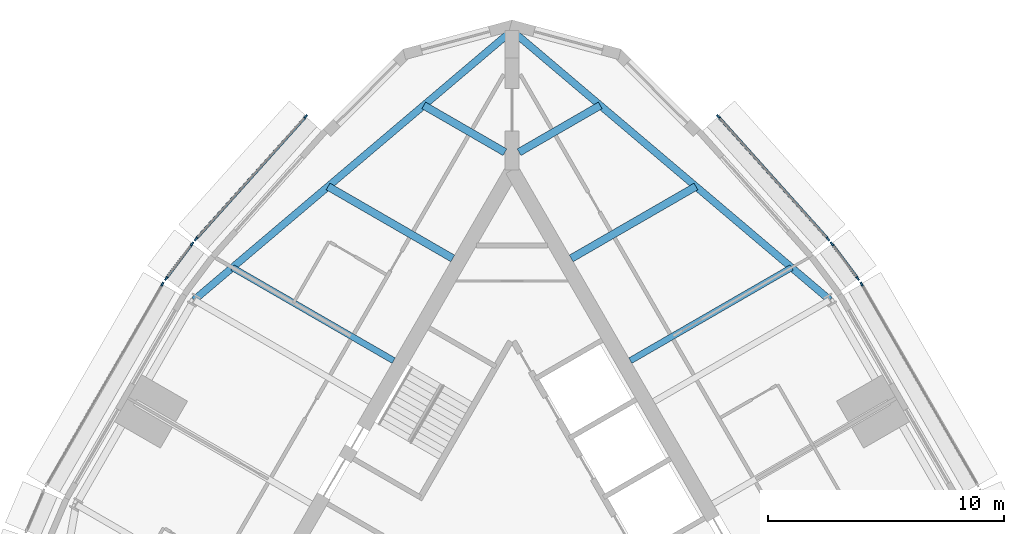
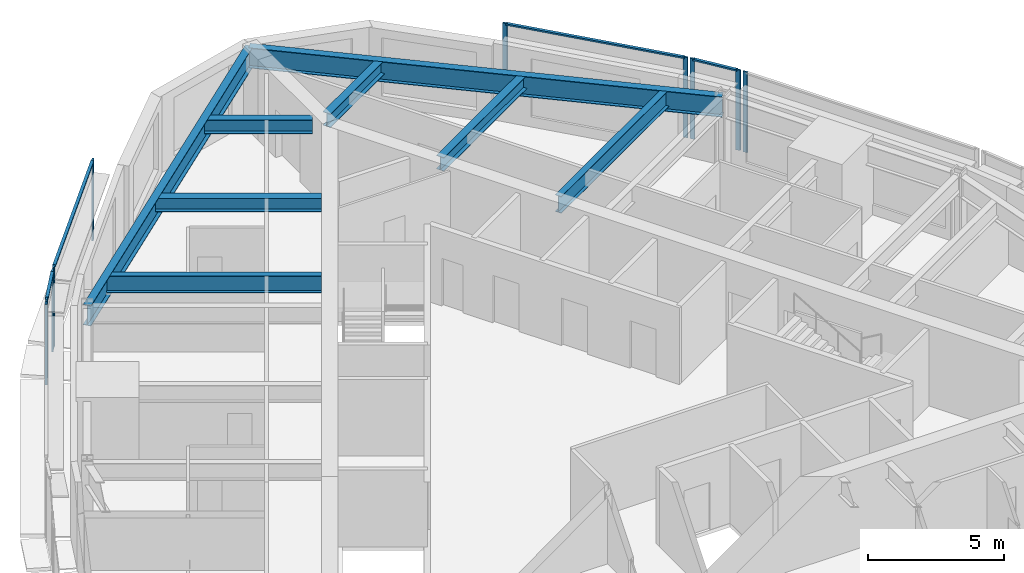
# One storey, part 5 of 12: 14 members, 8 beams, 6 elements without a shape of their own.
"""IFC4 building model written with IfcOpenShell, lengths in metres."""

from ifc_helpers import new_model, si_unit, direction, frame, origin, origin_2d, place, context, subcontext, project, spatial, rectangle, i_section, extrude, material, material_profile, profile_set, type_object, element, aggregate, save


model = new_model("IFC4")

# Units and contexts
model_context = context("Model", 3, precision=1e-05, world=origin(), true_north=direction((0.0, 1.0)))
body_context = subcontext(model_context, "Body", "Model", "MODEL_VIEW")
ifc_project = project(units=[si_unit("LENGTHUNIT", "METRE"), si_unit("AREAUNIT", "SQUARE_METRE"), si_unit("VOLUMEUNIT", "CUBIC_METRE"), si_unit("PLANEANGLEUNIT", "RADIAN"), si_unit("MASSUNIT", "GRAM", prefix="KILO")], contexts=[model_context])

# Site, building, storey
site_placement = place(None, origin())
site = spatial("IfcSite", under=ifc_project, at=site_placement, CompositionType="ELEMENT")
building_placement = place(site_placement, origin())
building = spatial("IfcBuilding", under=site, at=building_placement, Name="Trikona Tower", CompositionType="ELEMENT")
storey_placement = place(building_placement, frame((0.0, 0.0, 253.699951171875)))
storey = spatial("IfcBuildingStorey", under=building, at=storey_placement, Name="L67", CompositionType="ELEMENT", Elevation=253.699951171875)

# Curtain wall, member
ifc_material_1 = material(Name="Aluminium curtain wall system", Category="aluminium")
curtain_wall_type = type_object("IfcCurtainWallType", Name="Curtain wall DS3", PredefinedType="NOTDEFINED", material=ifc_material_1)
curtain_wall_1_placement = place(storey_placement, origin())
curtain_wall_1 = element("IfcCurtainWall", 1, at=curtain_wall_1_placement, inside=storey, type_object=curtain_wall_type, Name="Curtain wall DS3 L67", PredefinedType="NOTDEFINED")
ifc_material_2 = material(Name="Aluminium mullion, pale anodised", Category="aluminium")
ifc_material_profile_1 = material_profile(ifc_material_2, rectangle(XDim=0.070068359375, YDim=0.179931640625, at=origin_2d()), Name="MUL-DS3")
ifc_profile_set_1 = profile_set([ifc_material_profile_1], Name="Aluminium mullion, pale anodised")
member_type_1 = type_object("IfcMemberType", Name="Mullion DS3 70x180", PredefinedType="MULLION", material=ifc_profile_set_1)
member_1_placement = place(storey_placement, frame((14.807861328125, 14.213134765625, 0.0), z_axis=(0.0, 0.0, 1.0), x_axis=(-0.866024619633, -0.500001358187, 0.0)))
member_1 = element("IfcMember", 2, at=member_1_placement, type_object=member_type_1, Name="CW-DS3 mullion 2", PredefinedType="MULLION", context=body_context, shape_type="SweptSolid", body=[
    extrude(rectangle(XDim=0.070068359375, YDim=0.179931640625, at=origin_2d()), origin(), (0.0, 0.0, 1.0), 3.60009765625),
])
aggregate(curtain_wall_1, [member_1])

# Curtain wall, members
curtain_wall_2_placement = place(storey_placement, origin())
curtain_wall_2 = element("IfcCurtainWall", 3, at=curtain_wall_2_placement, inside=storey, type_object=curtain_wall_type, Name="Curtain wall DS3 L67", PredefinedType="NOTDEFINED")
member_2_placement = place(storey_placement, frame((14.644287109375, 14.461181640625, 0.0), z_axis=(0.0, 0.0, 1.0), x_axis=(-0.800259657055, -0.599653634435, 0.0)))
member_2 = element("IfcMember", 4, at=member_2_placement, type_object=member_type_1, Name="CW-DS3 mullion 1", PredefinedType="MULLION", context=body_context, shape_type="SweptSolid", body=[
    extrude(rectangle(XDim=0.070068359375, YDim=0.179931640625, at=origin_2d()), origin(), (0.0, 0.0, 1.0), 3.60009765625),
])
member_3_placement = place(storey_placement, frame((13.55029296875, 15.9208984375, 0.0), z_axis=(0.0, 0.0, 1.0), x_axis=(-0.800259657055, -0.599653634435, 0.0)))
member_3 = element("IfcMember", 5, at=member_3_placement, type_object=member_type_1, Name="CW-DS3 mullion 2", PredefinedType="MULLION", context=body_context, shape_type="SweptSolid", body=[
    extrude(rectangle(XDim=0.070068359375, YDim=0.179931640625, at=origin_2d()), origin(), (0.0, 0.0, 1.0), 3.60009765625),
])

curtain_wall_3_placement = place(storey_placement, origin())
curtain_wall_3 = element("IfcCurtainWall", 6, at=curtain_wall_3_placement, inside=storey, type_object=curtain_wall_type, Name="Curtain wall DS3 L67", PredefinedType="NOTDEFINED")
member_4_placement = place(storey_placement, frame((13.380126953125, 16.128662109375, 0.0), z_axis=(0.0, 0.0, 1.0), x_axis=(-0.744771436797, -0.667319643748, 0.0)))
member_4 = element("IfcMember", 7, at=member_4_placement, type_object=member_type_1, Name="CW-DS3 mullion 1", PredefinedType="MULLION", context=body_context, shape_type="SweptSolid", body=[
    extrude(rectangle(XDim=0.070068359375, YDim=0.179931640625, at=origin_2d()), origin(), (0.0, 0.0, 1.0), 3.60009765625),
])
member_5_placement = place(storey_placement, frame((8.733642578125, 21.314453125, 0.0), z_axis=(0.0, 0.0, 1.0), x_axis=(-0.744771436797, -0.667319643748, 0.0)))
member_5 = element("IfcMember", 8, at=member_5_placement, type_object=member_type_1, Name="CW-DS3 mullion 2", PredefinedType="MULLION", context=body_context, shape_type="SweptSolid", body=[
    extrude(rectangle(XDim=0.070068359375, YDim=0.179931640625, at=origin_2d()), origin(), (0.0, 0.0, 1.0), 3.60009765625),
])

curtain_wall_4_placement = place(storey_placement, origin())
curtain_wall_4 = element("IfcCurtainWall", 9, at=curtain_wall_4_placement, inside=storey, type_object=curtain_wall_type, Name="Curtain wall DS3 L67", PredefinedType="NOTDEFINED")
member_6_placement = place(storey_placement, frame((-8.733642578125, 21.314453125, 0.0), z_axis=(0.0, 0.0, 1.0), x_axis=(0.744771436797, -0.667319643748, 0.0)))
member_6 = element("IfcMember", 10, at=member_6_placement, type_object=member_type_1, Name="CW-DS3 mullion 1", PredefinedType="MULLION", context=body_context, shape_type="SweptSolid", body=[
    extrude(rectangle(XDim=0.070068359375, YDim=0.179931640625, at=origin_2d()), origin(), (0.0, 0.0, 1.0), 3.60009765625),
])
member_7_placement = place(storey_placement, frame((-13.380126953125, 16.128662109375, 0.0), z_axis=(0.0, 0.0, 1.0), x_axis=(0.744771436797, -0.667319643748, 0.0)))
member_7 = element("IfcMember", 11, at=member_7_placement, type_object=member_type_1, Name="CW-DS3 mullion 2", PredefinedType="MULLION", context=body_context, shape_type="SweptSolid", body=[
    extrude(rectangle(XDim=0.070068359375, YDim=0.179931640625, at=origin_2d()), origin(), (0.0, 0.0, 1.0), 3.60009765625),
])

curtain_wall_5_placement = place(storey_placement, origin())
curtain_wall_5 = element("IfcCurtainWall", 12, at=curtain_wall_5_placement, inside=storey, type_object=curtain_wall_type, Name="Curtain wall DS3 L67", PredefinedType="NOTDEFINED")
member_8_placement = place(storey_placement, frame((-13.55029296875, 15.9208984375, 0.0), z_axis=(0.0, 0.0, 1.0), x_axis=(0.800259657055, -0.599653634435, 0.0)))
member_8 = element("IfcMember", 13, at=member_8_placement, type_object=member_type_1, Name="CW-DS3 mullion 1", PredefinedType="MULLION", context=body_context, shape_type="SweptSolid", body=[
    extrude(rectangle(XDim=0.070068359375, YDim=0.179931640625, at=origin_2d()), origin(), (0.0, 0.0, 1.0), 3.60009765625),
])
member_9_placement = place(storey_placement, frame((-14.644287109375, 14.461181640625, 0.0), z_axis=(0.0, 0.0, 1.0), x_axis=(0.800259657055, -0.599653634435, 0.0)))
member_9 = element("IfcMember", 14, at=member_9_placement, type_object=member_type_1, Name="CW-DS3 mullion 2", PredefinedType="MULLION", context=body_context, shape_type="SweptSolid", body=[
    extrude(rectangle(XDim=0.070068359375, YDim=0.179931640625, at=origin_2d()), origin(), (0.0, 0.0, 1.0), 3.60009765625),
])

# Curtain wall, member
curtain_wall_6_placement = place(storey_placement, origin())
curtain_wall_6 = element("IfcCurtainWall", 15, at=curtain_wall_6_placement, inside=storey, type_object=curtain_wall_type, Name="Curtain wall DS3 L67", PredefinedType="NOTDEFINED")
member_10_placement = place(storey_placement, frame((-14.807861328125, 14.213134765625, 0.0), z_axis=(0.0, 0.0, 1.0), x_axis=(0.866024619633, -0.500001358187, 0.0)))
member_10 = element("IfcMember", 16, at=member_10_placement, type_object=member_type_1, Name="CW-DS3 mullion 1", PredefinedType="MULLION", context=body_context, shape_type="SweptSolid", body=[
    extrude(rectangle(XDim=0.070068359375, YDim=0.179931640625, at=origin_2d()), origin(), (0.0, 0.0, 1.0), 3.60009765625),
])
aggregate(curtain_wall_6, [member_10])

# Beams
ifc_material_3 = material(Name="Steel ASTM A992 Grade 50", Category="steel")
ifc_material_profile_2 = material_profile(ifc_material_3, i_section(OverallWidth=0.3251953125, OverallDepth=0.612060546875, WebThickness=0.0126953125, FlangeThickness=0.01904296875, at=origin_2d()), Name="W24X104")
ifc_profile_set_2 = profile_set([ifc_material_profile_2], Name="Steel ASTM A992 Grade 50")
beam_type_1 = type_object("IfcBeamType", Name="Steel beam W24x104 (wedge upper)", PredefinedType="BEAM", material=ifc_profile_set_2)
beam_1_placement = place(storey_placement, frame((2.509765625, 15.305419921875, 3.12890625), z_axis=(0.866023498866, 0.500003299401, 0.0), x_axis=(-0.500003299401, 0.866023498866, 0.0)))
element("IfcBeam", 17, at=beam_1_placement, inside=storey, type_object=beam_type_1, Name="Floor beam L68 F2 u12", PredefinedType="BEAM", context=body_context, shape_type="SweptSolid", body=[
    extrude(i_section(OverallWidth=0.3251953125, OverallDepth=0.612060546875, WebThickness=0.0126953125, FlangeThickness=0.01904296875, at=origin_2d()), origin(), (0.0, 0.0, 1.0), 6.09521484375),
])
for number, where, z_axis, x_axis, name in (
    (18, (0.300048828125, 19.802978515625, 3.12890625), (0.866004223388, 0.500036683728, 0.0), (-0.500036683728, 0.866004223388, 0.0), "Floor beam L68 F2 u17"),
    (19, (-0.300048828125, 19.802978515625, 3.12890625), (-0.866004223388, 0.500036683728, 0.0), (-0.500036683728, -0.866004223388, 0.0), "Floor beam L68 F3 u-17"),
):
    element("IfcBeam", number, at=place(storey_placement, frame(where, z_axis=z_axis, x_axis=x_axis)), inside=storey, type_object=beam_type_1, Name=name, PredefinedType="BEAM", context=body_context, shape_type="SweptSolid", body=[
        extrude(i_section(OverallWidth=0.3251953125, OverallDepth=0.612060546875, WebThickness=0.0126953125, FlangeThickness=0.01904296875, at=origin_2d()), origin(), (0.0, 0.0, 1.0), 3.968017578125),
    ])
beam_2_placement = place(storey_placement, frame((-2.509765625, 15.305419921875, 3.12890625), z_axis=(-0.866023498866, 0.500003299401, 0.0), x_axis=(-0.500003299401, -0.866023498866, 0.0)))
element("IfcBeam", 20, at=beam_2_placement, inside=storey, type_object=beam_type_1, Name="Floor beam L68 F3 u-12", PredefinedType="BEAM", context=body_context, shape_type="SweptSolid", body=[
    extrude(i_section(OverallWidth=0.3251953125, OverallDepth=0.612060546875, WebThickness=0.0126953125, FlangeThickness=0.01904296875, at=origin_2d()), origin(), (0.0, 0.0, 1.0), 6.09521484375),
])
ifc_material_4 = material(Name="Steel ASTM A992 Grade 50", Category="steel")
ifc_material_profile_3 = material_profile(ifc_material_4, i_section(OverallWidth=0.2666015625, OverallDepth=0.7568359375, WebThickness=0.013916015625, FlangeThickness=0.019287109375, at=origin_2d()), Name="W30X108")
ifc_profile_set_3 = profile_set([ifc_material_profile_3], Name="Steel ASTM A992 Grade 50")
beam_type_2 = type_object("IfcBeamType", Name="Steel beam W30x108 (radial upper)", PredefinedType="BEAM", material=ifc_profile_set_3)
for number, where, z_axis, x_axis, name in (
    (21, (5.009765625, 10.975341796875, 3.056640625), (0.866034560358, 0.499984140014, 0.0), (-0.499984140014, 0.866034560358, 0.0), "Floor beam L68 F2 u7"),
    (22, (-5.009765625, 10.975341796875, 3.056640625), (-0.866034560358, 0.499984140014, 0.0), (-0.499984140014, -0.866034560358, 0.0), "Floor beam L68 F3 u-7"),
):
    element("IfcBeam", number, at=place(storey_placement, frame(where, z_axis=z_axis, x_axis=x_axis)), inside=storey, type_object=beam_type_2, Name=name, PredefinedType="BEAM", context=body_context, shape_type="SweptSolid", body=[
        extrude(i_section(OverallWidth=0.2666015625, OverallDepth=0.7568359375, WebThickness=0.013916015625, FlangeThickness=0.019287109375, at=origin_2d()), origin(), (0.0, 0.0, 1.0), 7.887451171875),
    ])
ifc_material_5 = material(Name="Steel ASTM A992 Grade 50", Category="steel")
ifc_material_profile_4 = material_profile(ifc_material_5, i_section(OverallWidth=0.3046875, OverallDepth=0.911865234375, WebThickness=0.015869140625, FlangeThickness=0.02392578125, at=origin_2d()), Name="W36X150")
ifc_profile_set_4 = profile_set([ifc_material_profile_4], Name="Steel ASTM A992 Grade 50")
beam_type_3 = type_object("IfcBeamType", Name="Steel beam W36x150 (spandrel upper)", PredefinedType="SPANDREL", material=ifc_profile_set_4)
for number, where, z_axis, x_axis, name in (
    (23, (13.461181640625, 13.54541015625, 2.979248046875), (-0.762890626803, 0.646527564405, 0.0), (-0.646527564405, -0.762890626803, 0.0), "Spandrel beam L68 F2-3"),
    (24, (0.0, 24.953369140625, 2.979248046875), (-0.762890626803, -0.646527564405, 0.0), (0.646527564405, -0.762890626803, 0.0), "Spandrel beam L68 F3-1"),
):
    element("IfcBeam", number, at=place(storey_placement, frame(where, z_axis=z_axis, x_axis=x_axis)), inside=storey, type_object=beam_type_3, Name=name, PredefinedType="SPANDREL", context=body_context, shape_type="SweptSolid", body=[
        extrude(i_section(OverallWidth=0.3046875, OverallDepth=0.911865234375, WebThickness=0.015869140625, FlangeThickness=0.02392578125, at=origin_2d()), origin(), (0.0, 0.0, 1.0), 17.64501953125),
    ])

# Member
ifc_material_6 = material(Name="Aluminium transom, pale anodised", Category="aluminium")
ifc_material_profile_5 = material_profile(ifc_material_6, rectangle(XDim=0.1201171875, YDim=0.070068359375, at=origin_2d()), Name="TRN-DS3")
ifc_profile_set_5 = profile_set([ifc_material_profile_5], Name="Aluminium transom, pale anodised")
member_type_2 = type_object("IfcMemberType", Name="Transom DS3 70x120", PredefinedType="USERDEFINED", material=ifc_profile_set_5)
member_11_placement = place(storey_placement, frame((14.623291015625, 14.489013671875, 3.56494140625), z_axis=(-0.599621429645, 0.80028378786, 0.0), x_axis=(-0.80028378786, -0.599621429645, 0.0)))
member_11 = element("IfcMember", 25, at=member_11_placement, type_object=member_type_2, Name="CW-DS3 transom 1.1", ObjectType="TRANSOM", PredefinedType="USERDEFINED", context=body_context, shape_type="SweptSolid", body=[
    extrude(rectangle(XDim=0.1201171875, YDim=0.070068359375, at=origin_2d()), origin(), (0.0, 0.0, 1.0), 1.75439453125),
])

aggregate(curtain_wall_2, [member_2, member_3, member_11])

member_12_placement = place(storey_placement, frame((13.356689453125, 16.15478515625, 3.56494140625), z_axis=(-0.667313410703, 0.744777021595, 0.0), x_axis=(-0.744777021595, -0.667313410703, 0.0)))
member_12 = element("IfcMember", 26, at=member_12_placement, type_object=member_type_2, Name="CW-DS3 transom 1.1", ObjectType="TRANSOM", PredefinedType="USERDEFINED", context=body_context, shape_type="SweptSolid", body=[
    extrude(rectangle(XDim=0.1201171875, YDim=0.070068359375, at=origin_2d()), origin(), (0.0, 0.0, 1.0), 6.892822265625),
])

aggregate(curtain_wall_3, [member_4, member_5, member_12])

member_13_placement = place(storey_placement, frame((-8.757080078125, 21.288330078125, 3.56494140625), z_axis=(-0.667313410703, -0.744777021595, 0.0), x_axis=(0.744777021595, -0.667313410703, 0.0)))
member_13 = element("IfcMember", 27, at=member_13_placement, type_object=member_type_2, Name="CW-DS3 transom 1.1", ObjectType="TRANSOM", PredefinedType="USERDEFINED", context=body_context, shape_type="SweptSolid", body=[
    extrude(rectangle(XDim=0.1201171875, YDim=0.070068359375, at=origin_2d()), origin(), (0.0, 0.0, 1.0), 6.892822265625),
])

aggregate(curtain_wall_4, [member_6, member_7, member_13])

member_14_placement = place(storey_placement, frame((-13.5712890625, 15.89306640625, 3.56494140625), z_axis=(-0.599621429645, -0.80028378786, 0.0), x_axis=(0.80028378786, -0.599621429645, 0.0)))
member_14 = element("IfcMember", 28, at=member_14_placement, type_object=member_type_2, Name="CW-DS3 transom 1.1", ObjectType="TRANSOM", PredefinedType="USERDEFINED", context=body_context, shape_type="SweptSolid", body=[
    extrude(rectangle(XDim=0.1201171875, YDim=0.070068359375, at=origin_2d()), origin(), (0.0, 0.0, 1.0), 1.75439453125),
])

aggregate(curtain_wall_5, [member_8, member_9, member_14])

save(model, "model.ifc")
